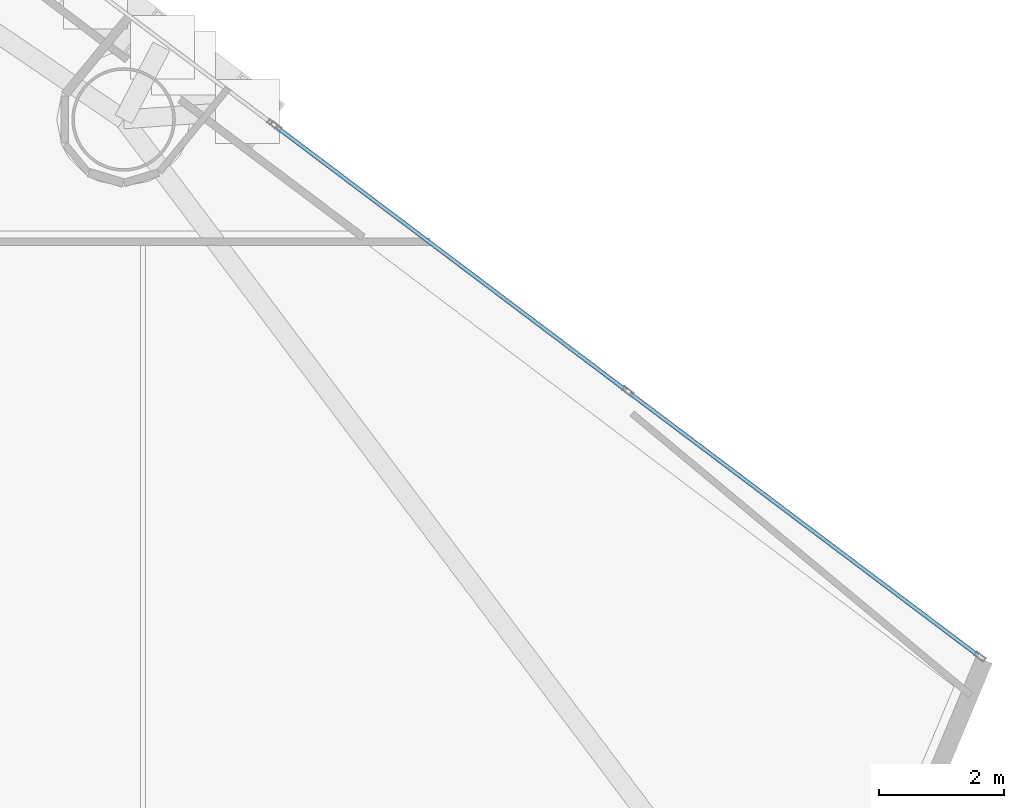
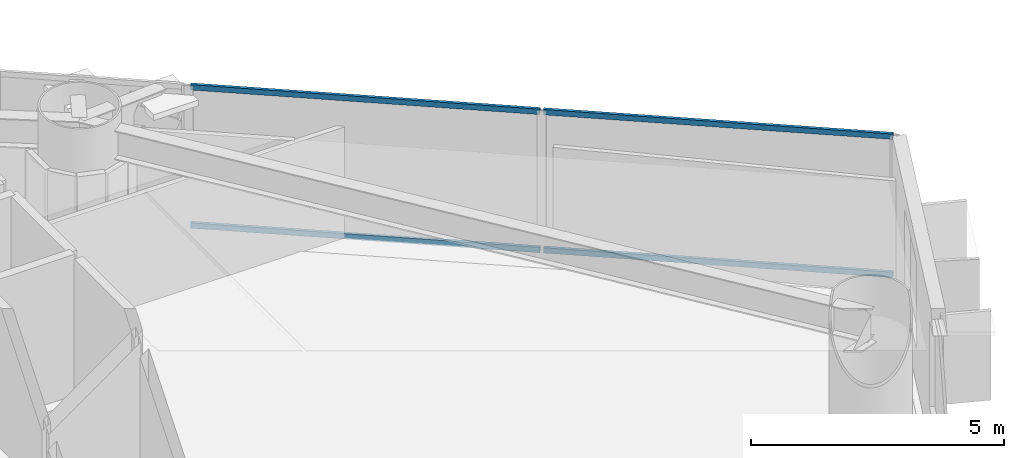
# One storey, part 13 of 22: 4 members, 1 element without a shape of its own.
"""IFC4 building model written with IfcOpenShell, lengths in metres."""

from ifc_helpers import new_model, si_unit, direction, frame, origin, origin_2d, place, context, subcontext, project, spatial, hollow_rectangle, extrude, material, layer, layer_set, material_profile, profile_set, type_object, element, aggregate, save


model = new_model("IFC4")

# Units and contexts
model_context = context("Model", 3, precision=1e-05, world=origin(), true_north=direction((0.0, 1.0)))
body_context = subcontext(model_context, "Body", "Model", "MODEL_VIEW")
ifc_project = project(units=[si_unit("LENGTHUNIT", "METRE"), si_unit("AREAUNIT", "SQUARE_METRE"), si_unit("VOLUMEUNIT", "CUBIC_METRE"), si_unit("PLANEANGLEUNIT", "RADIAN"), si_unit("MASSUNIT", "GRAM", prefix="KILO")], contexts=[model_context])

# Site, building, storey
site_placement = place(None, origin())
site = spatial("IfcSite", under=ifc_project, at=site_placement, CompositionType="ELEMENT")
building_placement = place(site_placement, origin())
building = spatial("IfcBuilding", under=site, at=building_placement, Name="Qianvela Tower", CompositionType="ELEMENT")
storey_placement = place(building_placement, frame((0.0, 0.0, 89.5)))
storey = spatial("IfcBuildingStorey", under=building, at=storey_placement, Name="L22", CompositionType="ELEMENT", Elevation=89.5)

# Curtain wall, members
ifc_material_1 = material(Name="Anodised Architectural Aluminium and Low-E Glass", Category="aluminium")
ifc_layer = layer(ifc_material_1, 0.179931640625)
ifc_layer_set = layer_set([ifc_layer], Name="Anodised Architectural Aluminium and Low-E Glass")
curtain_wall_type = type_object("IfcCurtainWallType", Name="CW-COLIV-Z12", PredefinedType="USERDEFINED", material=ifc_layer_set)
curtain_wall_placement = place(storey_placement, origin())
curtain_wall = element("IfcCurtainWall", 1, at=curtain_wall_placement, inside=storey, type_object=curtain_wall_type, Name="L22 CW-COLIV-Z12 Curtain Wall 02A", ObjectType="CURTAIN_WALL_SYSTEM", PredefinedType="USERDEFINED")
ifc_material_2 = material(Name="Anodised Architectural Aluminium 6063-T6", Category="aluminium")
ifc_material_profile = material_profile(ifc_material_2, hollow_rectangle(XDim=0.06494140625, YDim=0.1298828125, WallThickness=0.00439453125, at=origin_2d()), Name="ALU-TRAN-65x130")
ifc_profile_set = profile_set([ifc_material_profile], Name="Anodised Architectural Aluminium 6063-T6")
member_type = type_object("IfcMemberType", Name="CW-COLIV-Z12-TRAN", PredefinedType="USERDEFINED", material=ifc_profile_set)
member_1_placement = place(storey_placement, frame((59.616455078125, 25.505126953125, 0.032470703125), z_axis=(-0.798726976241, 0.601693624219, 0.0), x_axis=(-0.601693624219, -0.798726976241, 0.0)))
member_1 = element("IfcMember", 2, at=member_1_placement, type_object=member_type, Name="CW-3 transom 1.1", ObjectType="TRANSOM", PredefinedType="USERDEFINED", context=body_context, shape_type="SweptSolid", body=[
    extrude(hollow_rectangle(XDim=0.06494140625, YDim=0.1298828125, WallThickness=0.00439453125, at=origin_2d()), origin(), (0.0, 0.0, 1.0), 6.9599609375),
])
member_2_placement = place(storey_placement, frame((59.616455078125, 25.505126953125, 3.367431640625), z_axis=(-0.798726976241, 0.601693624219, 0.0), x_axis=(-0.601693624219, -0.798726976241, 0.0)))
member_2 = element("IfcMember", 3, at=member_2_placement, type_object=member_type, Name="CW-3 transom 1.2", ObjectType="TRANSOM", PredefinedType="USERDEFINED", context=body_context, shape_type="SweptSolid", body=[
    extrude(hollow_rectangle(XDim=0.06494140625, YDim=0.1298828125, WallThickness=0.00439453125, at=origin_2d()), origin(), (0.0, 0.0, 1.0), 6.9599609375),
])
member_3_placement = place(storey_placement, frame((54.00146484375, 29.735107421875, 0.032470703125), z_axis=(-0.798697417469, 0.601732860436, 0.0), x_axis=(-0.601732860436, -0.798697417469, 0.0)))
member_3 = element("IfcMember", 4, at=member_3_placement, type_object=member_type, Name="CW-3 transom 2.1", ObjectType="TRANSOM", PredefinedType="USERDEFINED", context=body_context, shape_type="SweptSolid", body=[
    extrude(hollow_rectangle(XDim=0.06494140625, YDim=0.1298828125, WallThickness=0.00439453125, at=origin_2d()), origin(), (0.0, 0.0, 1.0), 6.9599609375),
])
member_4_placement = place(storey_placement, frame((54.00146484375, 29.735107421875, 3.367431640625), z_axis=(-0.798697417469, 0.601732860436, 0.0), x_axis=(-0.601732860436, -0.798697417469, 0.0)))
member_4 = element("IfcMember", 5, at=member_4_placement, type_object=member_type, Name="CW-3 transom 2.2", ObjectType="TRANSOM", PredefinedType="USERDEFINED", context=body_context, shape_type="SweptSolid", body=[
    extrude(hollow_rectangle(XDim=0.06494140625, YDim=0.1298828125, WallThickness=0.00439453125, at=origin_2d()), origin(), (0.0, 0.0, 1.0), 6.9599609375),
])
aggregate(curtain_wall, [member_1, member_2, member_3, member_4])

save(model, "model.ifc")
